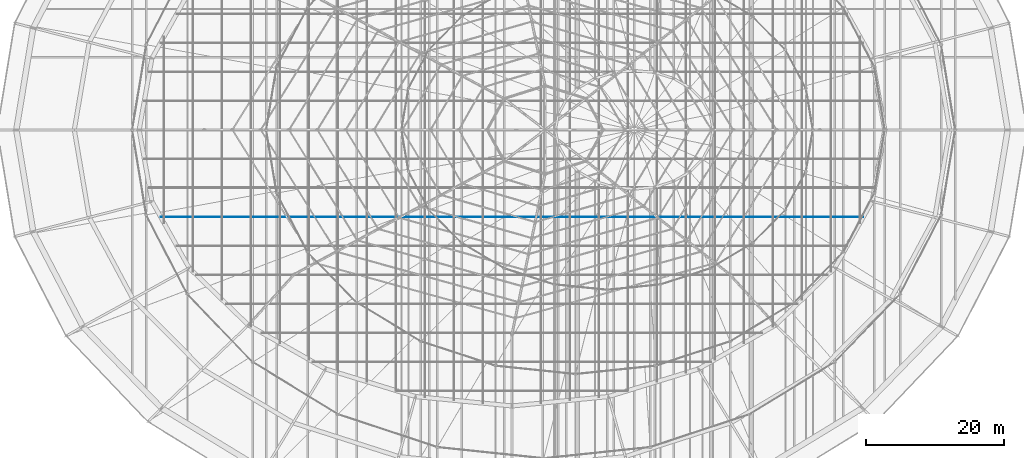
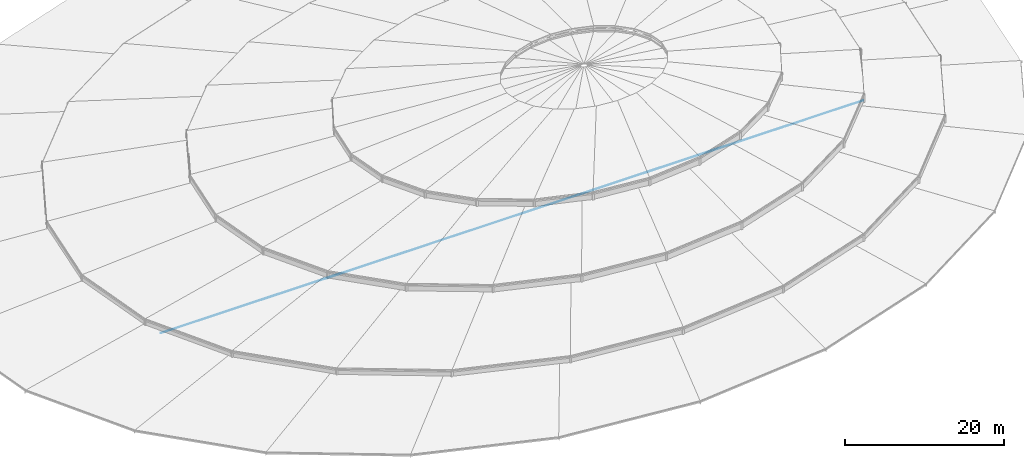
# One storey, part 49 of 184: 1 member.
"""IFC4 building model written with IfcOpenShell, lengths in metres."""

from ifc_helpers import new_model, si_unit, direction, frame, origin, origin_2d, place, context, subcontext, project, spatial, circle, extrude, material, material_profile, profile_set, type_object, element, save


model = new_model("IFC4")

# Units and contexts
model_context = context("Model", 3, precision=1e-05, world=origin(), true_north=direction((0.0, 1.0)))
body_context = subcontext(model_context, "Body", "Model", "MODEL_VIEW")
ifc_project = project(units=[si_unit("LENGTHUNIT", "METRE"), si_unit("AREAUNIT", "SQUARE_METRE"), si_unit("VOLUMEUNIT", "CUBIC_METRE"), si_unit("PLANEANGLEUNIT", "RADIAN"), si_unit("MASSUNIT", "GRAM", prefix="KILO")], contexts=[model_context])

# Site, building, storey
site_placement = place(None, origin())
site = spatial("IfcSite", under=ifc_project, at=site_placement, CompositionType="ELEMENT")
building_placement = place(site_placement, origin())
building = spatial("IfcBuilding", under=site, at=building_placement, Name="Kalgoora Escarpment Arena", CompositionType="ELEMENT")
storey_placement = place(building_placement, frame((0.0, 0.0, 27.60009765625)))
storey = spatial("IfcBuildingStorey", under=building, at=storey_placement, Name="Roof Level", CompositionType="ELEMENT", Elevation=27.60009765625)

# Member
ifc_material = material(Name="High-tensile spiral strand steel Grade 450 (350 MPa)", Category="steel")
ifc_material_profile = material_profile(ifc_material, circle(Radius=0.035888671875, at=origin_2d()))
ifc_profile_set = profile_set([ifc_material_profile], Name="High-tensile spiral strand steel Grade 450 (350 MPa)")
member_type = type_object("IfcMemberType", Name="MEM-CABLE-72", PredefinedType="USERDEFINED", material=ifc_profile_set)
member_placement = place(storey_placement, frame((41.49658203125, 51.39990234375, -1.25), z_axis=(1.0, 0.0, 0.0), x_axis=(0.0, 1.0, 0.0)))
element("IfcMember", 1, at=member_placement, inside=storey, type_object=member_type, Name="Roof saddle hanging cable X-07", ObjectType="CABLE", PredefinedType="USERDEFINED", context=body_context, shape_type="SweptSolid", body=[
    extrude(circle(Radius=0.035888671875, at=origin_2d()), origin(), (0.0, 0.0, 1.0), 101.806884765625),
])

save(model, "model.ifc")
